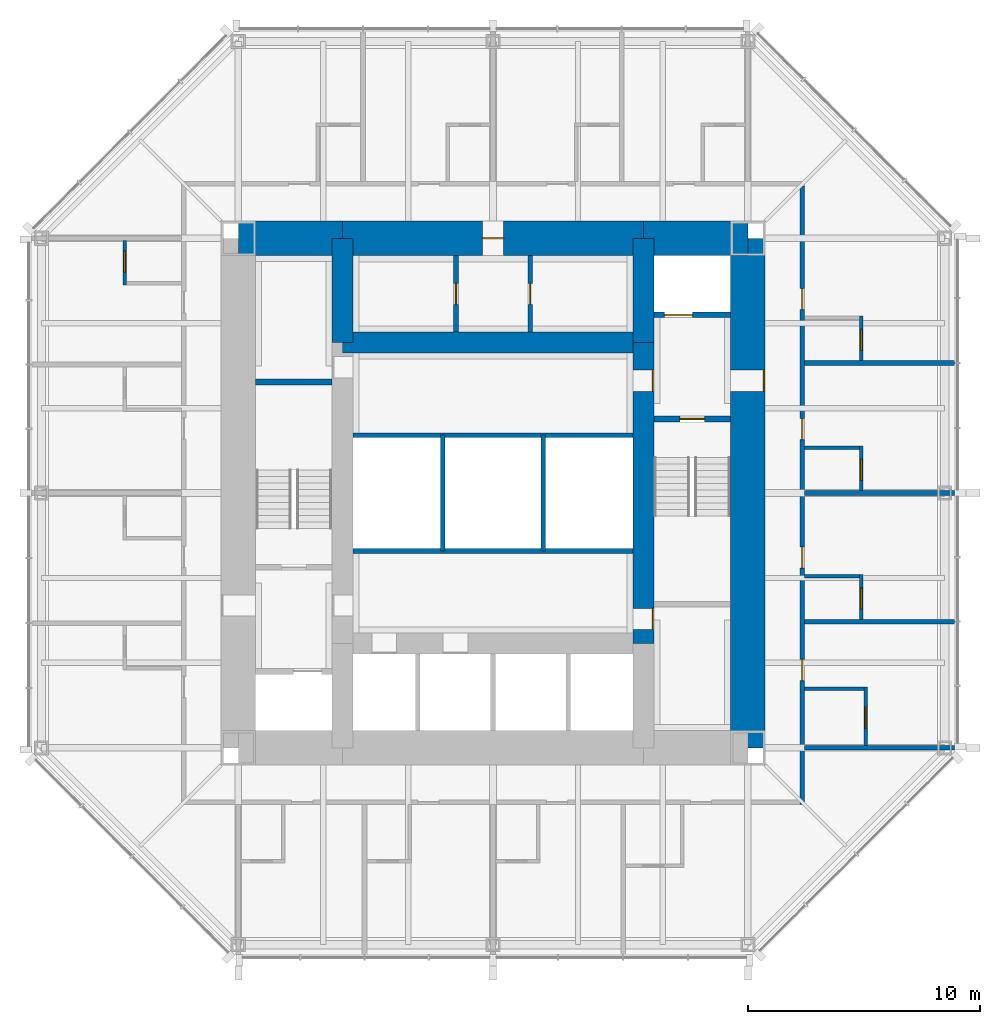
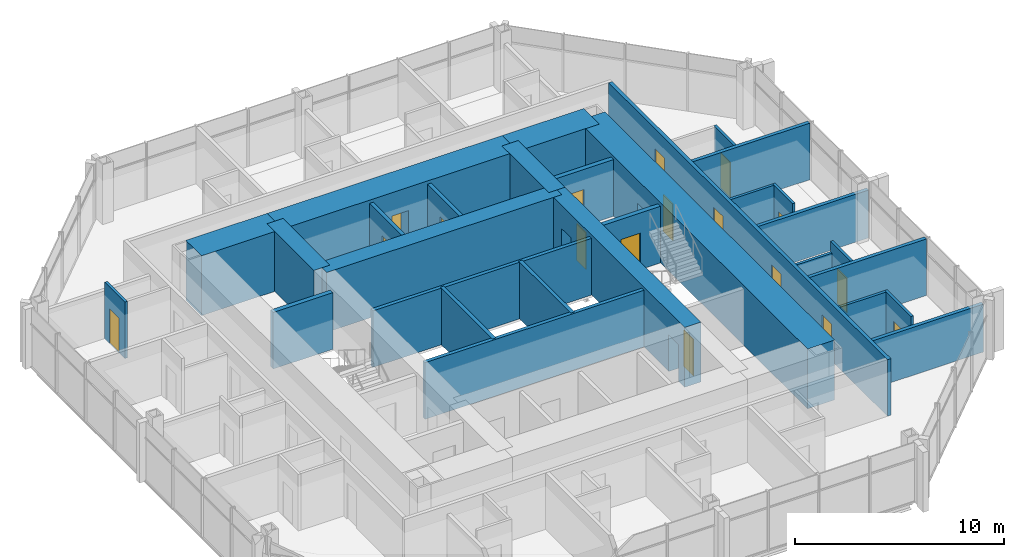
# One storey, part 9 of 12: 30 walls, 17 doors, 17 openings.
"""IFC4 building model written with IfcOpenShell, lengths in metres."""

import ifcopenshell
import ifcopenshell.guid

model = None  # the IFC model being written
_history = None  # IfcOwnerHistory: only IFC2X3 demands one
_inside = {}  # id of a spatial element -> (the spatial element, [elements in it])
_under = {}  # id of a project, library or spatial element -> (it, [spatial elements below it])
_declared = {}  # id of a project -> (the project, [libraries it declares])
_typed = {}  # id of a type object -> (the type object, [elements of that type])
_made_of = {}  # id of a material, layer set ... -> (it, [elements and type objects made of it])


def new_model(schema):
    """Start an empty IFC model of exactly this schema.

    Asked for "IFC4X3", IfcOpenShell would pick the latest addendum, in which some entities
    have other attributes; the version numbers below select the first issue.
    IFC2X3 requires an IfcOwnerHistory on every rooted entity: one is made here for all.
    """
    global model, _history
    if schema == "IFC4X3":
        model = ifcopenshell.file(schema_version=(4, 3, 0, 0))
    else:
        model = ifcopenshell.file(schema=schema)
    _inside.clear()
    _under.clear()
    _declared.clear()
    _typed.clear()
    _made_of.clear()
    _history = None
    if model.schema == "IFC2X3":
        org = make("IfcOrganization", Name="unknown")
        user = make(
            "IfcPersonAndOrganization",
            ThePerson=make("IfcPerson", FamilyName="unknown"),
            TheOrganization=org,
        )
        app = make(
            "IfcApplication",
            ApplicationDeveloper=org,
            Version="unknown",
            ApplicationFullName="unknown",
            ApplicationIdentifier="unknown",
        )
        _history = make(
            "IfcOwnerHistory",
            OwningUser=user,
            OwningApplication=app,
            ChangeAction="ADDED",
            CreationDate=0,
        )
    return model


def make(cls, **values):
    """One entity of the class cls with the attributes given. An attribute that is None is left unset."""
    return model.create_entity(
        cls, **{name: value for name, value in values.items() if value is not None}
    )


def rooted(cls, **values):
    """An entity with a GlobalId (a new one), such as an element, a storey or a relation."""
    return make(cls, GlobalId=ifcopenshell.guid.new(), OwnerHistory=_history, **values)


def si_unit(unit_type, name, prefix=None):
    """IfcSIUnit, for example si_unit("LENGTHUNIT", "METRE", prefix="MILLI")."""
    return make("IfcSIUnit", UnitType=unit_type, Prefix=prefix, Name=name)


def assignment(units):
    """IfcUnitAssignment: the units of a project."""
    return None if units is None else make("IfcUnitAssignment", Units=units)


def point(xyz):
    """IfcCartesianPoint."""
    return None if xyz is None else make("IfcCartesianPoint", Coordinates=xyz)


def direction(xyz):
    """IfcDirection."""
    return None if xyz is None else make("IfcDirection", DirectionRatios=xyz)


def frame(location, z_axis=None, x_axis=None):
    """IfcAxis2Placement3D, a coordinate frame: its origin and axes. An axis left out is left unset."""
    return make(
        "IfcAxis2Placement3D",
        Location=point(location),
        Axis=direction(z_axis),
        RefDirection=direction(x_axis),
    )


def frame_2d(location, x_axis=None):
    """IfcAxis2Placement2D, a coordinate frame in the plane: its origin and x axis."""
    return make(
        "IfcAxis2Placement2D", Location=point(location), RefDirection=direction(x_axis)
    )


def origin():
    """The frame at (0, 0, 0) with its axes left unset."""
    return frame((0.0, 0.0, 0.0))


def place(relative_to, where):
    """IfcLocalPlacement: puts the frame where relative to a parent placement (None: the world)."""
    return make(
        "IfcLocalPlacement", PlacementRelTo=relative_to, RelativePlacement=where
    )


def context(
    kind, dimensions, precision=None, world=None, true_north=None, identifier=None
):
    """IfcGeometricRepresentationContext, for example the 3D "Model" context."""
    return make(
        "IfcGeometricRepresentationContext",
        ContextIdentifier=identifier,
        ContextType=kind,
        CoordinateSpaceDimension=dimensions,
        Precision=precision,
        WorldCoordinateSystem=world,
        TrueNorth=true_north,
    )


def subcontext(parent, identifier, kind, view, scale=None):
    """IfcGeometricRepresentationSubContext, for example "Body" below "Model"."""
    return make(
        "IfcGeometricRepresentationSubContext",
        ContextIdentifier=identifier,
        ContextType=kind,
        ParentContext=parent,
        TargetScale=scale,
        TargetView=view,
    )


def project(units=None, contexts=None):
    """IfcProject with its units and contexts."""
    return rooted(
        "IfcProject",
        Name="project",
        RepresentationContexts=contexts,
        UnitsInContext=assignment(units),
    )


def spatial(cls, under=None, at=None, **own):
    """A site, building, storey or space (cls), placed at a placement, below another one or the project."""
    s = rooted(cls, ObjectPlacement=at, **own)
    if under is not None:
        _under.setdefault(under.id(), (under, []))[1].append(s)
    return s


def profile(cls, at=None, kind="AREA", **sizes):
    """A parametric profile (cls). Its sizes go by their IFC names, for example OverallWidth=200.0."""
    return make(cls, ProfileType=kind, Position=at, **sizes)


def rectangle(**sizes):
    """IfcRectangleProfileDef."""
    return profile("IfcRectangleProfileDef", **sizes)


def extrude(swept, where, along, depth):
    """IfcExtrudedAreaSolid: the profile swept, set in the frame where, extruded along a direction by depth."""
    return make(
        "IfcExtrudedAreaSolid",
        SweptArea=swept,
        Position=where,
        ExtrudedDirection=direction(along),
        Depth=depth,
    )


def shape(context_of_items, identifier, shape_type, items):
    """IfcShapeRepresentation: the items that make up one representation, for example the "Body"."""
    return make(
        "IfcShapeRepresentation",
        ContextOfItems=context_of_items,
        RepresentationIdentifier=identifier,
        RepresentationType=shape_type,
        Items=items,
    )


def material(Name=None, Category=None):
    """IfcMaterial."""
    return make("IfcMaterial", Name=Name, Category=Category)


def layer(
    of_material, thickness, ventilated=None, Name=None, Category=None, Priority=None
):
    """IfcMaterialLayer: one layer of a wall or slab, of a material (None: an air gap)."""
    return make(
        "IfcMaterialLayer",
        Material=of_material,
        LayerThickness=thickness,
        IsVentilated=ventilated,
        Name=Name,
        Category=Category,
        Priority=Priority,
    )


def layer_set(layers, Name=None):
    """IfcMaterialLayerSet."""
    return make("IfcMaterialLayerSet", MaterialLayers=layers, LayerSetName=Name)


def made_of(thing, what):
    """Note that an element or type object is made of a material, layer set ...; save() writes the relation."""
    if what is not None:
        _made_of.setdefault(what.id(), (what, []))[1].append(thing)
    return thing


def type_object(cls, material=None, **own):
    """A type object (cls), such as IfcWallType, which elements share."""
    return made_of(rooted(cls, **own), material)


def element(
    cls,
    number,
    at=None,
    inside=None,
    cuts=None,
    type_object=None,
    material=None,
    context=None,
    identifier="Body",
    shape_type=None,
    held_by="IfcProductDefinitionShape",
    body=None,
    shapes=None,
    **own,
):
    """One element of the class cls, such as IfcWall. Its Tag is "e" and its number.

    at: its placement. inside: the storey or other place that contains it. cuts: it is an
    opening in that element (IfcRelVoidsElement). A single representation is given by context,
    identifier, shape_type and body (its items); several are given by shapes. held_by: the class
    of the entity that holds the representations. save() writes the other relations.
    """
    e = rooted(cls, Tag="e%d" % number, ObjectPlacement=at, **own)
    if body is not None:
        shapes = [shape(context, identifier, shape_type, body)]
    if shapes is not None:
        e.Representation = make(held_by, Representations=shapes)
    if inside is not None:
        _inside.setdefault(inside.id(), (inside, []))[1].append(e)
    if cuts is not None:
        rooted(
            "IfcRelVoidsElement", RelatingBuildingElement=cuts, RelatedOpeningElement=e
        )
    if type_object is not None:
        _typed.setdefault(type_object.id(), (type_object, []))[1].append(e)
    return made_of(e, material)


def fill(opening, filler):
    """IfcRelFillsElement: the door or window that sits in an opening."""
    return rooted(
        "IfcRelFillsElement",
        RelatingOpeningElement=opening,
        RelatedBuildingElement=filler,
    )


def aggregate(whole, parts):
    """IfcRelAggregates: a whole, such as a stair, and the parts it consists of."""
    return rooted("IfcRelAggregates", RelatingObject=whole, RelatedObjects=parts)


def save(model, path):
    """Write the relations noted so far, then the file.

    IfcRelAggregates (storeys below a building ...), IfcRelContainedInSpatialStructure (elements
    in a storey), IfcRelDefinesByType, IfcRelAssociatesMaterial and IfcRelDeclares: one each for
    every whole, place, type object, material and project.
    """
    for whole, parts in _under.values():
        aggregate(whole, parts)
    for where, things in _inside.values():
        rooted(
            "IfcRelContainedInSpatialStructure",
            RelatedElements=things,
            RelatingStructure=where,
        )
    for kind, things in _typed.values():
        rooted("IfcRelDefinesByType", RelatedObjects=things, RelatingType=kind)
    for what, things in _made_of.values():
        rooted("IfcRelAssociatesMaterial", RelatedObjects=things, RelatingMaterial=what)
    for by, libraries in _declared.values():
        rooted("IfcRelDeclares", RelatingContext=by, RelatedDefinitions=libraries)
    model.write(path)


model = new_model("IFC4")

# Units and contexts
model_context = context("Model", 3, precision=1e-05, world=origin(), true_north=direction((0.0, 1.0)))
body_context = subcontext(model_context, "Body", "Model", "MODEL_VIEW")
ifc_project = project(units=[si_unit("LENGTHUNIT", "METRE"), si_unit("AREAUNIT", "SQUARE_METRE"), si_unit("VOLUMEUNIT", "CUBIC_METRE"), si_unit("PLANEANGLEUNIT", "RADIAN"), si_unit("MASSUNIT", "GRAM", prefix="KILO")], contexts=[model_context])

# Site, building, storey
site_placement = place(None, origin())
site = spatial("IfcSite", under=ifc_project, at=site_placement, CompositionType="ELEMENT")
building_placement = place(site_placement, origin())
building = spatial("IfcBuilding", under=site, at=building_placement, Name="Trevanion Tower", CompositionType="ELEMENT")
storey_placement = place(building_placement, frame((0.0, 0.0, 197.699951171875)))
storey = spatial("IfcBuildingStorey", under=building, at=storey_placement, Name="L46", CompositionType="ELEMENT", Elevation=197.699951171875)

# Wall, opening, door
ifc_material_1 = material(Name="Concrete 10,000 psi", Category="concrete")
ifc_layer_1 = layer(ifc_material_1, 1.5)
ifc_layer_set_1 = layer_set([ifc_layer_1], Name="CW1 core wall 1500")
wall_type_1 = type_object("IfcWallType", Name="CW1 core wall 1500", PredefinedType="SHEAR", material=ifc_layer_set_1)
wall_1_placement = place(storey_placement, frame((11.0, -11.0, 0.0), z_axis=(0.0, 0.0, 1.0), x_axis=(0.0, 1.0, 0.0)))
wall_1 = element("IfcWall", 1, at=wall_1_placement, inside=storey, type_object=wall_type_1, Name="CW1 CE L46", PredefinedType="SHEAR", context=body_context, shape_type="SweptSolid", body=[
    extrude(rectangle(XDim=22.0, YDim=1.5, at=frame_2d((11.0, 0.0))), origin(), (0.0, 0.0, 1.0), 3.5),
])
opening_1_placement = place(wall_1_placement, frame((15.392578125, 0.0, 0.0)))
opening_1 = element("IfcOpeningElement", 2, at=opening_1_placement, cuts=wall_1, Name="Opening 46-001", PredefinedType="OPENING", context=body_context, shape_type="SweptSolid", body=[
    extrude(rectangle(XDim=0.9150390625, YDim=2.134033203125, at=frame_2d((0.45751953125, 1.06689453125))), frame((0.0, 0.760009765625, 0.0), z_axis=(0.0, -1.0, 0.0), x_axis=(1.0, 0.0, 0.0)), (0.0, 0.0, 1.0), 1.52001953125),
])
ifc_material_2 = material(Name="Hollow metal, fire rated", Category="steel")
door_type_1 = type_object("IfcDoorType", Name="D3 fire lift lobby door", OperationType="SINGLE_SWING_RIGHT", PredefinedType="DOOR", material=ifc_material_2)
door_1_placement = place(opening_1_placement, origin())
door_1 = element("IfcDoor", 3, at=door_1_placement, inside=storey, type_object=door_type_1, Name="Door 46-001", OperationType="SINGLE_SWING_RIGHT", OverallHeight=2.134033203125, OverallWidth=0.9150390625, PredefinedType="DOOR", context=body_context, shape_type="SweptSolid", body=[
    extrude(rectangle(XDim=0.9150390625, YDim=2.134033203125, at=frame_2d((0.45751953125, 1.06689453125))), frame((0.0, -0.6748046875, 0.0), z_axis=(0.0, -1.0, 0.0), x_axis=(1.0, 0.0, 0.0)), (0.0, 0.0, 1.0), 0.050048828125),
])
fill(opening_1, door_1)

# Wall
wall_2_placement = place(storey_placement, frame((11.0, 11.0, 0.0), z_axis=(0.0, 0.0, 1.0), x_axis=(-1.0, 0.0, 0.0)))
element("IfcWall", 4, at=wall_2_placement, inside=storey, type_object=wall_type_1, Name="CW1 CN1 L46", PredefinedType="SHEAR", context=body_context, shape_type="SweptSolid", body=[
    extrude(rectangle(XDim=4.5, YDim=1.5, at=frame_2d((2.25, 0.0))), origin(), (0.0, 0.0, 1.0), 3.5),
])

# Wall, opening, door
wall_3_placement = place(storey_placement, frame((6.5, 11.0, 0.0), z_axis=(0.0, 0.0, 1.0), x_axis=(-1.0, 0.0, 0.0)))
wall_3 = element("IfcWall", 5, at=wall_3_placement, inside=storey, type_object=wall_type_1, Name="CW1 CN2 L46", PredefinedType="SHEAR", context=body_context, shape_type="SweptSolid", body=[
    extrude(rectangle(XDim=13.0, YDim=1.5, at=frame_2d((6.5, 0.0))), origin(), (0.0, 0.0, 1.0), 3.5),
])
opening_2_placement = place(wall_3_placement, frame((6.04248046875, 0.0, 0.0)))
opening_2 = element("IfcOpeningElement", 6, at=opening_2_placement, cuts=wall_3, Name="Opening 46-013", PredefinedType="OPENING", context=body_context, shape_type="SweptSolid", body=[
    extrude(rectangle(XDim=0.9150390625, YDim=2.134033203125, at=frame_2d((0.45751953125, 1.06689453125))), frame((0.0, 0.760009765625, 0.0), z_axis=(0.0, -1.0, 0.0), x_axis=(1.0, 0.0, 0.0)), (0.0, 0.0, 1.0), 1.52001953125),
])
ifc_material_3 = material(Name="Hollow metal, fire rated", Category="steel")
door_type_2 = type_object("IfcDoorType", Name="D5 service room door", OperationType="SINGLE_SWING_RIGHT", PredefinedType="DOOR", material=ifc_material_3)
door_2_placement = place(opening_2_placement, origin())
door_2 = element("IfcDoor", 7, at=door_2_placement, inside=storey, type_object=door_type_2, Name="Door 46-013", OperationType="SINGLE_SWING_RIGHT", OverallHeight=2.134033203125, OverallWidth=0.9150390625, PredefinedType="DOOR", context=body_context, shape_type="SweptSolid", body=[
    extrude(rectangle(XDim=0.9150390625, YDim=2.134033203125, at=frame_2d((0.45751953125, 1.06689453125))), frame((0.0, 0.02490234375, 0.0), z_axis=(0.0, -1.0, 0.0), x_axis=(1.0, 0.0, 0.0)), (0.0, 0.0, 1.0), 0.050048828125),
])
fill(opening_2, door_2)

# Wall
wall_4_placement = place(storey_placement, frame((-6.5, 11.0, 0.0), z_axis=(0.0, 0.0, 1.0), x_axis=(-1.0, 0.0, 0.0)))
element("IfcWall", 8, at=wall_4_placement, inside=storey, type_object=wall_type_1, Name="CW1 CN3 L46", PredefinedType="SHEAR", context=body_context, shape_type="SweptSolid", body=[
    extrude(rectangle(XDim=4.5, YDim=1.5, at=frame_2d((2.25, 0.0))), origin(), (0.0, 0.0, 1.0), 3.5),
])

# Wall, openings, doors
ifc_material_4 = material(Name="Concrete 10,000 psi", Category="concrete")
ifc_layer_2 = layer(ifc_material_4, 0.89990234375)
ifc_layer_set_2 = layer_set([ifc_layer_2], Name="CW2 core wall 900")
wall_type_2 = type_object("IfcWallType", Name="CW2 core wall 900", PredefinedType="SHEAR", material=ifc_layer_set_2)
wall_5_placement = place(storey_placement, frame((6.5, -6.5, 0.0), z_axis=(0.0, 0.0, 1.0), x_axis=(0.0, 1.0, 0.0)))
wall_5 = element("IfcWall", 9, at=wall_5_placement, inside=storey, type_object=wall_type_2, Name="CW2 RE2 L46", PredefinedType="SHEAR", context=body_context, shape_type="SweptSolid", body=[
    extrude(rectangle(XDim=13.0, YDim=0.89990234375, at=frame_2d((6.5, 0.0))), origin(), (0.0, 0.0, 1.0), 3.5),
])
opening_3_placement = place(wall_5_placement, frame((10.892578125, 0.0, 0.0)))
opening_3 = element("IfcOpeningElement", 10, at=opening_3_placement, cuts=wall_5, Name="Opening 46-003", PredefinedType="OPENING", context=body_context, shape_type="SweptSolid", body=[
    extrude(rectangle(XDim=0.9150390625, YDim=2.134033203125, at=frame_2d((0.45751953125, 1.06689453125))), frame((0.0, 0.4599609375, 0.0), z_axis=(0.0, -1.0, 0.0), x_axis=(1.0, 0.0, 0.0)), (0.0, 0.0, 1.0), 0.919921875),
])
opening_4_placement = place(wall_5_placement, frame((0.610107421875, 0.0, 0.0)))
opening_4 = element("IfcOpeningElement", 11, at=opening_4_placement, cuts=wall_5, Name="Opening 46-009", PredefinedType="OPENING", context=body_context, shape_type="SweptSolid", body=[
    extrude(rectangle(XDim=0.9150390625, YDim=2.134033203125, at=frame_2d((0.45751953125, 1.06689453125))), frame((0.0, 0.4599609375, 0.0), z_axis=(0.0, -1.0, 0.0), x_axis=(1.0, 0.0, 0.0)), (0.0, 0.0, 1.0), 0.919921875),
])
door_3_placement = place(opening_3_placement, origin())
door_3 = element("IfcDoor", 12, at=door_3_placement, inside=storey, type_object=door_type_1, Name="Door 46-003", OperationType="SINGLE_SWING_RIGHT", OverallHeight=2.134033203125, OverallWidth=0.9150390625, PredefinedType="DOOR", context=body_context, shape_type="SweptSolid", body=[
    extrude(rectangle(XDim=0.9150390625, YDim=2.134033203125, at=frame_2d((0.45751953125, 1.06689453125))), frame((0.0, -0.375, 0.0), z_axis=(0.0, -1.0, 0.0), x_axis=(1.0, 0.0, 0.0)), (0.0, 0.0, 1.0), 0.050048828125),
])
fill(opening_3, door_3)
door_4_placement = place(opening_4_placement, origin())
door_4 = element("IfcDoor", 13, at=door_4_placement, inside=storey, type_object=door_type_2, Name="Door 46-009", OperationType="SINGLE_SWING_RIGHT", OverallHeight=2.134033203125, OverallWidth=0.9150390625, PredefinedType="DOOR", context=body_context, shape_type="SweptSolid", body=[
    extrude(rectangle(XDim=0.9150390625, YDim=2.134033203125, at=frame_2d((0.45751953125, 1.06689453125))), frame((0.0, -0.375, 0.0), z_axis=(0.0, -1.0, 0.0), x_axis=(1.0, 0.0, 0.0)), (0.0, 0.0, 1.0), 0.050048828125),
])
fill(opening_4, door_4)

# Walls
for number, where, z_axis, x_axis, name in (
    (14, (6.5, 6.5, 0.0), (0.0, 0.0, 1.0), (0.0, 1.0, 0.0), "CW2 RE3 L46"),
    (15, (-6.5, 11.0, 0.0), (0.0, 0.0, 1.0), (0.0, -1.0, 0.0), "CW2 RW1 L46"),
):
    element("IfcWall", number, at=place(storey_placement, frame(where, z_axis=z_axis, x_axis=x_axis)), inside=storey, type_object=wall_type_2, Name=name, PredefinedType="SHEAR", context=body_context, shape_type="SweptSolid", body=[
        extrude(rectangle(XDim=4.5, YDim=0.89990234375, at=frame_2d((2.25, 0.0))), origin(), (0.0, 0.0, 1.0), 3.5),
    ])
wall_6_placement = place(storey_placement, frame((6.5, 6.5, 0.0), z_axis=(0.0, 0.0, 1.0), x_axis=(-1.0, 0.0, 0.0)))
element("IfcWall", 16, at=wall_6_placement, inside=storey, type_object=wall_type_2, Name="CW2 RN L46", PredefinedType="SHEAR", context=body_context, shape_type="SweptSolid", body=[
    extrude(rectangle(XDim=13.0, YDim=0.89990234375, at=frame_2d((6.5, 0.0))), origin(), (0.0, 0.0, 1.0), 3.5),
])

# Wall, opening, door
ifc_material_5 = material(Name="Gypsum board on steel studs", Category="steel")
ifc_layer_3 = layer(ifc_material_5, 0.14990234375)
ifc_layer_set_3 = layer_set([ifc_layer_3], Name="PT1 partition 150")
wall_type_3 = type_object("IfcWallType", Name="PT1 partition 150", PredefinedType="PARTITIONING", material=ifc_layer_set_3)
wall_7_placement = place(storey_placement, frame((16.10009765625, -10.89990234375, 0.0), z_axis=(0.0, 0.0, 1.0), x_axis=(0.0, 1.0, 0.0)))
wall_7 = element("IfcWall", 17, at=wall_7_placement, inside=storey, type_object=wall_type_3, Name="PT1 L46 BA00", PredefinedType="PARTITIONING", context=body_context, shape_type="SweptSolid", body=[
    extrude(rectangle(XDim=2.52490234375, YDim=0.14990234375, at=frame_2d((1.262451171875, 0.0))), origin(), (0.0, 0.0, 1.0), 3.31005859375),
])
opening_5_placement = place(wall_7_placement, frame((0.742431640625, 0.0, 0.0)))
opening_5 = element("IfcOpeningElement", 18, at=opening_5_placement, cuts=wall_7, Name="Opening 46-016", PredefinedType="OPENING", context=body_context, shape_type="SweptSolid", body=[
    extrude(rectangle(XDim=0.9150390625, YDim=2.031982421875, at=frame_2d((0.45751953125, 1.01611328125))), frame((0.0, 0.0849609375, 0.0), z_axis=(0.0, -1.0, 0.0), x_axis=(1.0, 0.0, 0.0)), (0.0, 0.0, 1.0), 0.169921875),
])
ifc_material_6 = material(Name="Timber veneer", Category="wood")
door_type_3 = type_object("IfcDoorType", Name="D7 bathroom door", OperationType="SINGLE_SWING_LEFT", PredefinedType="DOOR", material=ifc_material_6)
door_5_placement = place(opening_5_placement, origin())
door_5 = element("IfcDoor", 19, at=door_5_placement, inside=storey, type_object=door_type_3, Name="Door 46-016", OperationType="SINGLE_SWING_LEFT", OverallHeight=2.031982421875, OverallWidth=0.9150390625, PredefinedType="DOOR", context=body_context, shape_type="SweptSolid", body=[
    extrude(rectangle(XDim=0.9150390625, YDim=2.031982421875, at=frame_2d((0.45751953125, 1.01611328125))), frame((0.0, 0.02490234375, 0.0), z_axis=(0.0, -1.0, 0.0), x_axis=(1.0, 0.0, 0.0)), (0.0, 0.0, 1.0), 0.050048828125),
])
fill(opening_5, door_5)

# Wall
wall_8_placement = place(storey_placement, frame((13.449951171875, -8.449951171875, 0.0), z_axis=(0.0, 0.0, 1.0), x_axis=(1.0, 0.0, 0.0)))
element("IfcWall", 20, at=wall_8_placement, inside=storey, type_object=wall_type_3, Name="PT1 L46 BB00", PredefinedType="PARTITIONING", context=body_context, shape_type="SweptSolid", body=[
    extrude(rectangle(XDim=2.574951171875, YDim=0.14990234375, at=frame_2d((1.28759765625, 0.0))), origin(), (0.0, 0.0, 1.0), 3.31005859375),
])

# Wall, opening, door
wall_9_placement = place(storey_placement, frame((15.89990234375, -5.448974609375, 0.0), z_axis=(0.0, 0.0, 1.0), x_axis=(0.0, 1.0, 0.0)))
wall_9 = element("IfcWall", 21, at=wall_9_placement, inside=storey, type_object=wall_type_3, Name="PT1 L46 BA01", PredefinedType="PARTITIONING", context=body_context, shape_type="SweptSolid", body=[
    extrude(rectangle(XDim=1.925048828125, YDim=0.14990234375, at=frame_2d((0.96240234375, 0.0))), origin(), (0.0, 0.0, 1.0), 3.31005859375),
])
opening_6_placement = place(wall_9_placement, frame((0.4423828125, 0.0, 0.0)))
opening_6 = element("IfcOpeningElement", 22, at=opening_6_placement, cuts=wall_9, Name="Opening 46-018", PredefinedType="OPENING", context=body_context, shape_type="SweptSolid", body=[
    extrude(rectangle(XDim=0.9150390625, YDim=2.031982421875, at=frame_2d((0.45751953125, 1.01611328125))), frame((0.0, 0.0849609375, 0.0), z_axis=(0.0, -1.0, 0.0), x_axis=(1.0, 0.0, 0.0)), (0.0, 0.0, 1.0), 0.169921875),
])
door_6_placement = place(opening_6_placement, origin())
door_6 = element("IfcDoor", 23, at=door_6_placement, inside=storey, type_object=door_type_3, Name="Door 46-018", OperationType="SINGLE_SWING_LEFT", OverallHeight=2.031982421875, OverallWidth=0.9150390625, PredefinedType="DOOR", context=body_context, shape_type="SweptSolid", body=[
    extrude(rectangle(XDim=0.9150390625, YDim=2.031982421875, at=frame_2d((0.45751953125, 1.01611328125))), frame((0.0, 0.02490234375, 0.0), z_axis=(0.0, -1.0, 0.0), x_axis=(1.0, 0.0, 0.0)), (0.0, 0.0, 1.0), 0.050048828125),
])
fill(opening_6, door_6)

# Wall
wall_10_placement = place(storey_placement, frame((13.449951171875, -3.59912109375, 0.0), z_axis=(0.0, 0.0, 1.0), x_axis=(1.0, 0.0, 0.0)))
element("IfcWall", 24, at=wall_10_placement, inside=storey, type_object=wall_type_3, Name="PT1 L46 BB01", PredefinedType="PARTITIONING", context=body_context, shape_type="SweptSolid", body=[
    extrude(rectangle(XDim=2.375, YDim=0.14990234375, at=frame_2d((1.1875, 0.0))), origin(), (0.0, 0.0, 1.0), 2.703125),
])

# Wall, opening, door
wall_11_placement = place(storey_placement, frame((15.89990234375, 0.10009765625, 0.0), z_axis=(0.0, 0.0, 1.0), x_axis=(0.0, 1.0, 0.0)))
wall_11 = element("IfcWall", 25, at=wall_11_placement, inside=storey, type_object=wall_type_3, Name="PT1 L46 BA02", PredefinedType="PARTITIONING", context=body_context, shape_type="SweptSolid", body=[
    extrude(rectangle(XDim=1.9248046875, YDim=0.14990234375, at=frame_2d((0.96240234375, 0.0))), origin(), (0.0, 0.0, 1.0), 3.31005859375),
])
opening_7_placement = place(wall_11_placement, frame((0.4423828125, 0.0, 0.0)))
opening_7 = element("IfcOpeningElement", 26, at=opening_7_placement, cuts=wall_11, Name="Opening 46-020", PredefinedType="OPENING", context=body_context, shape_type="SweptSolid", body=[
    extrude(rectangle(XDim=0.9150390625, YDim=2.031982421875, at=frame_2d((0.45751953125, 1.01611328125))), frame((0.0, 0.0849609375, 0.0), z_axis=(0.0, -1.0, 0.0), x_axis=(1.0, 0.0, 0.0)), (0.0, 0.0, 1.0), 0.169921875),
])
door_7_placement = place(opening_7_placement, origin())
door_7 = element("IfcDoor", 27, at=door_7_placement, inside=storey, type_object=door_type_3, Name="Door 46-020", OperationType="SINGLE_SWING_LEFT", OverallHeight=2.031982421875, OverallWidth=0.9150390625, PredefinedType="DOOR", context=body_context, shape_type="SweptSolid", body=[
    extrude(rectangle(XDim=0.9150390625, YDim=2.031982421875, at=frame_2d((0.45751953125, 1.01611328125))), frame((0.0, 0.02490234375, 0.0), z_axis=(0.0, -1.0, 0.0), x_axis=(1.0, 0.0, 0.0)), (0.0, 0.0, 1.0), 0.050048828125),
])
fill(opening_7, door_7)

# Wall
wall_12_placement = place(storey_placement, frame((13.449951171875, 1.949951171875, 0.0), z_axis=(0.0, 0.0, 1.0), x_axis=(1.0, 0.0, 0.0)))
element("IfcWall", 28, at=wall_12_placement, inside=storey, type_object=wall_type_3, Name="PT1 L46 BB02", PredefinedType="PARTITIONING", context=body_context, shape_type="SweptSolid", body=[
    extrude(rectangle(XDim=2.375, YDim=0.14990234375, at=frame_2d((1.1875, 0.0))), origin(), (0.0, 0.0, 1.0), 3.31005859375),
])

# Wall, opening, door
wall_13_placement = place(storey_placement, frame((15.89990234375, 5.714111328125, 0.0), z_axis=(0.0, 0.0, 1.0), x_axis=(0.0, 1.0, 0.0)))
wall_13 = element("IfcWall", 29, at=wall_13_placement, inside=storey, type_object=wall_type_3, Name="PT1 L46 BA03", PredefinedType="PARTITIONING", context=body_context, shape_type="SweptSolid", body=[
    extrude(rectangle(XDim=1.9248046875, YDim=0.14990234375, at=frame_2d((0.96240234375, 0.0))), origin(), (0.0, 0.0, 1.0), 3.31005859375),
])
opening_8_placement = place(wall_13_placement, frame((0.4423828125, 0.0, 0.0)))
opening_8 = element("IfcOpeningElement", 30, at=opening_8_placement, cuts=wall_13, Name="Opening 46-022", PredefinedType="OPENING", context=body_context, shape_type="SweptSolid", body=[
    extrude(rectangle(XDim=0.9150390625, YDim=2.031982421875, at=frame_2d((0.45751953125, 1.01611328125))), frame((0.0, 0.0849609375, 0.0), z_axis=(0.0, -1.0, 0.0), x_axis=(1.0, 0.0, 0.0)), (0.0, 0.0, 1.0), 0.169921875),
])
door_8_placement = place(opening_8_placement, origin())
door_8 = element("IfcDoor", 31, at=door_8_placement, inside=storey, type_object=door_type_3, Name="Door 46-022", OperationType="SINGLE_SWING_LEFT", OverallHeight=2.031982421875, OverallWidth=0.9150390625, PredefinedType="DOOR", context=body_context, shape_type="SweptSolid", body=[
    extrude(rectangle(XDim=0.9150390625, YDim=2.031982421875, at=frame_2d((0.45751953125, 1.01611328125))), frame((0.0, 0.02490234375, 0.0), z_axis=(0.0, -1.0, 0.0), x_axis=(1.0, 0.0, 0.0)), (0.0, 0.0, 1.0), 0.050048828125),
])
fill(opening_8, door_8)

wall_14_placement = place(storey_placement, frame((-15.89990234375, 10.89990234375, 0.0), z_axis=(0.0, 0.0, 1.0), x_axis=(0.0, -1.0, 0.0)))
wall_14 = element("IfcWall", 32, at=wall_14_placement, inside=storey, type_object=wall_type_3, Name="PT1 L46 BA20", PredefinedType="PARTITIONING", context=body_context, shape_type="SweptSolid", body=[
    extrude(rectangle(XDim=1.9248046875, YDim=0.14990234375, at=frame_2d((0.96240234375, 0.0))), origin(), (0.0, 0.0, 1.0), 3.31005859375),
])
opening_9_placement = place(wall_14_placement, frame((0.4423828125, 0.0, 0.0)))
opening_9 = element("IfcOpeningElement", 33, at=opening_9_placement, cuts=wall_14, Name="Opening 46-032", PredefinedType="OPENING", context=body_context, shape_type="SweptSolid", body=[
    extrude(rectangle(XDim=0.9150390625, YDim=2.031982421875, at=frame_2d((0.45751953125, 1.01611328125))), frame((0.0, 0.0849609375, 0.0), z_axis=(0.0, -1.0, 0.0), x_axis=(1.0, 0.0, 0.0)), (0.0, 0.0, 1.0), 0.169921875),
])
door_9_placement = place(opening_9_placement, origin())
door_9 = element("IfcDoor", 34, at=door_9_placement, inside=storey, type_object=door_type_3, Name="Door 46-032", OperationType="SINGLE_SWING_LEFT", OverallHeight=2.031982421875, OverallWidth=0.9150390625, PredefinedType="DOOR", context=body_context, shape_type="SweptSolid", body=[
    extrude(rectangle(XDim=0.9150390625, YDim=2.031982421875, at=frame_2d((0.45751953125, 1.01611328125))), frame((0.0, 0.02490234375, 0.0), z_axis=(0.0, -1.0, 0.0), x_axis=(1.0, 0.0, 0.0)), (0.0, 0.0, 1.0), 0.050048828125),
])
fill(opening_9, door_9)

# Walls
ifc_material_7 = material(Name="Concrete masonry, grouted", Category="masonry")
ifc_layer_4 = layer(ifc_material_7, 0.199951171875)
ifc_layer_set_4 = layer_set([ifc_layer_4], Name="PT2 partition 200 1 HR")
wall_type_4 = type_object("IfcWallType", Name="PT2 partition 200 1 HR", PredefinedType="PARTITIONING", material=ifc_layer_set_4)
for number, where, z_axis, x_axis, name in (
    (35, (-6.050048828125, 2.5, 0.0), (0.0, 0.0, 1.0), (1.0, 0.0, 0.0), "PT2 L46 CP1"),
    (36, (6.050048828125, -2.5, 0.0), (0.0, 0.0, 1.0), (-1.0, 0.0, 0.0), "PT2 L46 CP2"),
):
    element("IfcWall", number, at=place(storey_placement, frame(where, z_axis=z_axis, x_axis=x_axis)), inside=storey, type_object=wall_type_4, Name=name, PredefinedType="PARTITIONING", context=body_context, shape_type="SweptSolid", body=[
        extrude(rectangle(XDim=12.10009765625, YDim=0.199951171875, at=frame_2d((6.050048828125, 0.0))), origin(), (0.0, 0.0, 1.0), 3.31005859375),
    ])

# Wall, opening, door
wall_15_placement = place(storey_placement, frame((-1.60009765625, 6.949951171875, 0.0), z_axis=(0.0, 0.0, 1.0), x_axis=(0.0, 1.0, 0.0)))
wall_15 = element("IfcWall", 37, at=wall_15_placement, inside=storey, type_object=wall_type_4, Name="PT2 L46 HKP1", PredefinedType="PARTITIONING", context=body_context, shape_type="SweptSolid", body=[
    extrude(rectangle(XDim=3.300048828125, YDim=0.199951171875, at=frame_2d((1.64990234375, 0.0))), origin(), (0.0, 0.0, 1.0), 3.31005859375),
])
opening_10_placement = place(wall_15_placement, frame((1.1923828125, 0.0, 0.0)))
opening_10 = element("IfcOpeningElement", 38, at=opening_10_placement, cuts=wall_15, Name="Opening 46-014", PredefinedType="OPENING", context=body_context, shape_type="SweptSolid", body=[
    extrude(rectangle(XDim=0.9150390625, YDim=2.134033203125, at=frame_2d((0.45751953125, 1.06689453125))), frame((0.0, 0.10986328125, 0.0), z_axis=(0.0, -1.0, 0.0), x_axis=(1.0, 0.0, 0.0)), (0.0, 0.0, 1.0), 0.219970703125),
])
door_10_placement = place(opening_10_placement, origin())
door_10 = element("IfcDoor", 39, at=door_10_placement, inside=storey, type_object=door_type_2, Name="Door 46-014", OperationType="SINGLE_SWING_RIGHT", OverallHeight=2.134033203125, OverallWidth=0.9150390625, PredefinedType="DOOR", context=body_context, shape_type="SweptSolid", body=[
    extrude(rectangle(XDim=0.9150390625, YDim=2.134033203125, at=frame_2d((0.45751953125, 1.06689453125))), frame((0.0, 0.02490234375, 0.0), z_axis=(0.0, -1.0, 0.0), x_axis=(1.0, 0.0, 0.0)), (0.0, 0.0, 1.0), 0.050048828125),
])
fill(opening_10, door_10)

wall_16_placement = place(storey_placement, frame((1.60009765625, 6.949951171875, 0.0), z_axis=(0.0, 0.0, 1.0), x_axis=(0.0, 1.0, 0.0)))
wall_16 = element("IfcWall", 40, at=wall_16_placement, inside=storey, type_object=wall_type_4, Name="PT2 L46 HKP2", PredefinedType="PARTITIONING", context=body_context, shape_type="SweptSolid", body=[
    extrude(rectangle(XDim=3.300048828125, YDim=0.199951171875, at=frame_2d((1.64990234375, 0.0))), origin(), (0.0, 0.0, 1.0), 3.31005859375),
])
opening_11_placement = place(wall_16_placement, frame((1.1923828125, 0.0, 0.0)))
opening_11 = element("IfcOpeningElement", 41, at=opening_11_placement, cuts=wall_16, Name="Opening 46-015", PredefinedType="OPENING", context=body_context, shape_type="SweptSolid", body=[
    extrude(rectangle(XDim=0.9150390625, YDim=2.134033203125, at=frame_2d((0.45751953125, 1.06689453125))), frame((0.0, 0.10986328125, 0.0), z_axis=(0.0, -1.0, 0.0), x_axis=(1.0, 0.0, 0.0)), (0.0, 0.0, 1.0), 0.219970703125),
])
door_11_placement = place(opening_11_placement, origin())
door_11 = element("IfcDoor", 42, at=door_11_placement, inside=storey, type_object=door_type_2, Name="Door 46-015", OperationType="SINGLE_SWING_RIGHT", OverallHeight=2.134033203125, OverallWidth=0.9150390625, PredefinedType="DOOR", context=body_context, shape_type="SweptSolid", body=[
    extrude(rectangle(XDim=0.9150390625, YDim=2.134033203125, at=frame_2d((0.45751953125, 1.06689453125))), frame((0.0, 0.02490234375, 0.0), z_axis=(0.0, -1.0, 0.0), x_axis=(1.0, 0.0, 0.0)), (0.0, 0.0, 1.0), 0.050048828125),
])
fill(opening_11, door_11)

# Wall, openings, doors
wall_17_placement = place(storey_placement, frame((13.35009765625, -13.449951171875, 0.0), z_axis=(0.0, 0.0, 1.0), x_axis=(0.0, 1.0, 0.0)))
wall_17 = element("IfcWall", 43, at=wall_17_placement, inside=storey, type_object=wall_type_4, Name="PT2 L46 HC0", PredefinedType="PARTITIONING", context=body_context, shape_type="SweptSolid", body=[
    extrude(rectangle(XDim=26.699951171875, YDim=0.199951171875, at=frame_2d((13.35009765625, 0.0))), origin(), (0.0, 0.0, 1.0), 3.31005859375),
])
opening_12_placement = place(wall_17_placement, frame((5.3525390625, 0.0, 0.0)))
opening_12 = element("IfcOpeningElement", 44, at=opening_12_placement, cuts=wall_17, Name="Opening 46-017", PredefinedType="OPENING", context=body_context, shape_type="SweptSolid", body=[
    extrude(rectangle(XDim=0.9150390625, YDim=2.134033203125, at=frame_2d((0.45751953125, 1.06689453125))), frame((0.0, 0.10986328125, 0.0), z_axis=(0.0, -1.0, 0.0), x_axis=(1.0, 0.0, 0.0)), (0.0, 0.0, 1.0), 0.219970703125),
])
opening_13_placement = place(wall_17_placement, frame((10.20361328125, 0.0, 0.0)))
opening_13 = element("IfcOpeningElement", 45, at=opening_13_placement, cuts=wall_17, Name="Opening 46-019", PredefinedType="OPENING", context=body_context, shape_type="SweptSolid", body=[
    extrude(rectangle(XDim=0.9150390625, YDim=2.134033203125, at=frame_2d((0.45751953125, 1.06689453125))), frame((0.0, 0.10986328125, 0.0), z_axis=(0.0, -1.0, 0.0), x_axis=(1.0, 0.0, 0.0)), (0.0, 0.0, 1.0), 0.219970703125),
])
opening_14_placement = place(wall_17_placement, frame((15.75244140625, 0.0, 0.0)))
opening_14 = element("IfcOpeningElement", 46, at=opening_14_placement, cuts=wall_17, Name="Opening 46-021", PredefinedType="OPENING", context=body_context, shape_type="SweptSolid", body=[
    extrude(rectangle(XDim=0.9150390625, YDim=2.134033203125, at=frame_2d((0.45751953125, 1.06689453125))), frame((0.0, 0.10986328125, 0.0), z_axis=(0.0, -1.0, 0.0), x_axis=(1.0, 0.0, 0.0)), (0.0, 0.0, 1.0), 0.219970703125),
])
opening_15_placement = place(wall_17_placement, frame((21.366455078125, 0.0, 0.0)))
opening_15 = element("IfcOpeningElement", 47, at=opening_15_placement, cuts=wall_17, Name="Opening 46-023", PredefinedType="OPENING", context=body_context, shape_type="SweptSolid", body=[
    extrude(rectangle(XDim=0.9150390625, YDim=2.134033203125, at=frame_2d((0.45751953125, 1.06689453125))), frame((0.0, 0.10986328125, 0.0), z_axis=(0.0, -1.0, 0.0), x_axis=(1.0, 0.0, 0.0)), (0.0, 0.0, 1.0), 0.219970703125),
])
ifc_material_8 = material(Name="Timber veneer, fire rated", Category="wood")
door_type_4 = type_object("IfcDoorType", Name="D6 guest room entrance door", OperationType="SINGLE_SWING_LEFT", PredefinedType="DOOR", material=ifc_material_8)
door_12_placement = place(opening_12_placement, origin())
door_12 = element("IfcDoor", 48, at=door_12_placement, inside=storey, type_object=door_type_4, Name="Door 46-017", OperationType="SINGLE_SWING_LEFT", OverallHeight=2.134033203125, OverallWidth=0.9150390625, PredefinedType="DOOR", context=body_context, shape_type="SweptSolid", body=[
    extrude(rectangle(XDim=0.9150390625, YDim=2.134033203125, at=frame_2d((0.45751953125, 1.06689453125))), frame((0.0, 0.02490234375, 0.0), z_axis=(0.0, -1.0, 0.0), x_axis=(1.0, 0.0, 0.0)), (0.0, 0.0, 1.0), 0.050048828125),
])
fill(opening_12, door_12)
door_13_placement = place(opening_13_placement, origin())
door_13 = element("IfcDoor", 49, at=door_13_placement, inside=storey, type_object=door_type_4, Name="Door 46-019", OperationType="SINGLE_SWING_LEFT", OverallHeight=2.134033203125, OverallWidth=0.9150390625, PredefinedType="DOOR", context=body_context, shape_type="SweptSolid", body=[
    extrude(rectangle(XDim=0.9150390625, YDim=2.134033203125, at=frame_2d((0.45751953125, 1.06689453125))), frame((0.0, 0.02490234375, 0.0), z_axis=(0.0, -1.0, 0.0), x_axis=(1.0, 0.0, 0.0)), (0.0, 0.0, 1.0), 0.050048828125),
])
fill(opening_13, door_13)
door_14_placement = place(opening_14_placement, origin())
door_14 = element("IfcDoor", 50, at=door_14_placement, inside=storey, type_object=door_type_4, Name="Door 46-021", OperationType="SINGLE_SWING_LEFT", OverallHeight=2.134033203125, OverallWidth=0.9150390625, PredefinedType="DOOR", context=body_context, shape_type="SweptSolid", body=[
    extrude(rectangle(XDim=0.9150390625, YDim=2.134033203125, at=frame_2d((0.45751953125, 1.06689453125))), frame((0.0, 0.02490234375, 0.0), z_axis=(0.0, -1.0, 0.0), x_axis=(1.0, 0.0, 0.0)), (0.0, 0.0, 1.0), 0.050048828125),
])
fill(opening_14, door_14)
door_15_placement = place(opening_15_placement, origin())
door_15 = element("IfcDoor", 51, at=door_15_placement, inside=storey, type_object=door_type_4, Name="Door 46-023", OperationType="SINGLE_SWING_LEFT", OverallHeight=2.134033203125, OverallWidth=0.9150390625, PredefinedType="DOOR", context=body_context, shape_type="SweptSolid", body=[
    extrude(rectangle(XDim=0.9150390625, YDim=2.134033203125, at=frame_2d((0.45751953125, 1.06689453125))), frame((0.0, 0.02490234375, 0.0), z_axis=(0.0, -1.0, 0.0), x_axis=(1.0, 0.0, 0.0)), (0.0, 0.0, 1.0), 0.050048828125),
])
fill(opening_15, door_15)

# Walls
wall_18_placement = place(storey_placement, frame((13.449951171875, -11.0, 0.0), z_axis=(0.0, 0.0, 1.0), x_axis=(1.0, 0.0, 0.0)))
element("IfcWall", 52, at=wall_18_placement, inside=storey, type_object=wall_type_4, Name="PT2 L46 HD00", PredefinedType="PARTITIONING", context=body_context, shape_type="SweptSolid", body=[
    extrude(rectangle(XDim=6.465087890625, YDim=0.199951171875, at=frame_2d((3.232421875, 0.0))), origin(), (0.0, 0.0, 1.0), 2.802001953125),
])
wall_19_placement = place(storey_placement, frame((13.449951171875, -5.549072265625, 0.0), z_axis=(0.0, 0.0, 1.0), x_axis=(1.0, 0.0, 0.0)))
element("IfcWall", 53, at=wall_19_placement, inside=storey, type_object=wall_type_4, Name="PT2 L46 HD01", PredefinedType="PARTITIONING", context=body_context, shape_type="SweptSolid", body=[
    extrude(rectangle(XDim=6.465087890625, YDim=0.199951171875, at=frame_2d((3.232421875, 0.0))), origin(), (0.0, 0.0, 1.0), 3.31005859375),
])
wall_20_placement = place(storey_placement, frame((13.449951171875, 0.0, 0.0), z_axis=(0.0, 0.0, 1.0), x_axis=(1.0, 0.0, 0.0)))
element("IfcWall", 54, at=wall_20_placement, inside=storey, type_object=wall_type_4, Name="PT2 L46 HD02", PredefinedType="PARTITIONING", context=body_context, shape_type="SweptSolid", body=[
    extrude(rectangle(XDim=6.465087890625, YDim=0.199951171875, at=frame_2d((3.232421875, 0.0))), origin(), (0.0, 0.0, 1.0), 2.802001953125),
])
wall_21_placement = place(storey_placement, frame((13.449951171875, 5.614013671875, 0.0), z_axis=(0.0, 0.0, 1.0), x_axis=(1.0, 0.0, 0.0)))
element("IfcWall", 55, at=wall_21_placement, inside=storey, type_object=wall_type_4, Name="PT2 L46 HD03", PredefinedType="PARTITIONING", context=body_context, shape_type="SweptSolid", body=[
    extrude(rectangle(XDim=6.465087890625, YDim=0.199951171875, at=frame_2d((3.232421875, 0.0))), origin(), (0.0, 0.0, 1.0), 3.31005859375),
])
ifc_material_9 = material(Name="Concrete masonry, grouted", Category="masonry")
ifc_layer_5 = layer(ifc_material_9, 0.199951171875)
ifc_layer_set_5 = layer_set([ifc_layer_5], Name="PT2 partition 200 2 HR")
wall_type_5 = type_object("IfcWallType", Name="PT2 partition 200 2 HR", PredefinedType="PARTITIONING", material=ifc_layer_set_5)
for number, where, z_axis, x_axis, name in (
    (56, (-2.166748046875, -2.5, 0.0), (0.0, 0.0, 1.0), (0.0, 1.0, 0.0), "PT2 L46 MS0"),
    (57, (2.166748046875, -2.5, 0.0), (0.0, 0.0, 1.0), (0.0, 1.0, 0.0), "PT2 L46 MS1"),
):
    element("IfcWall", number, at=place(storey_placement, frame(where, z_axis=z_axis, x_axis=x_axis)), inside=storey, type_object=wall_type_5, Name=name, PredefinedType="PARTITIONING", context=body_context, shape_type="SweptSolid", body=[
        extrude(rectangle(XDim=5.0, YDim=0.199951171875, at=frame_2d((2.5, 0.0))), origin(), (0.0, 0.0, 1.0), 3.31005859375),
    ])

# Wall, opening, door
ifc_material_10 = material(Name="Concrete masonry, grouted, two-hour", Category="masonry")
ifc_layer_6 = layer(ifc_material_10, 0.25)
ifc_layer_set_6 = layer_set([ifc_layer_6], Name="PT3 partition 250 2 HR")
wall_type_6 = type_object("IfcWallType", Name="PT3 partition 250 2 HR", PredefinedType="PARTITIONING", material=ifc_layer_set_6)
wall_22_placement = place(storey_placement, frame((6.949951171875, 7.699951171875, 0.0), z_axis=(0.0, 0.0, 1.0), x_axis=(1.0, 0.0, 0.0)))
wall_22 = element("IfcWall", 58, at=wall_22_placement, inside=storey, type_object=wall_type_6, Name="PT3 L46 EP3", PredefinedType="PARTITIONING", context=body_context, shape_type="SweptSolid", body=[
    extrude(rectangle(XDim=3.300048828125, YDim=0.25, at=frame_2d((1.64990234375, 0.0))), origin(), (0.0, 0.0, 1.0), 3.31005859375),
])
opening_16_placement = place(wall_22_placement, frame((0.449951171875, 0.0, 0.0)))
opening_16 = element("IfcOpeningElement", 59, at=opening_16_placement, cuts=wall_22, Name="Opening 46-007", PredefinedType="OPENING", context=body_context, shape_type="SweptSolid", body=[
    extrude(rectangle(XDim=1.218994140625, YDim=2.134033203125, at=frame_2d((0.609375, 1.06689453125))), frame((0.0, 0.135009765625, 0.0), z_axis=(0.0, -1.0, 0.0), x_axis=(1.0, 0.0, 0.0)), (0.0, 0.0, 1.0), 0.27001953125),
])
ifc_material_11 = material(Name="Stainless steel, fire rated", Category="steel")
door_type_5 = type_object("IfcDoorType", Name="LD2 fire service lift landing door", OperationType="SLIDING_TO_LEFT", PredefinedType="DOOR", material=ifc_material_11)
door_16_placement = place(opening_16_placement, origin())
door_16 = element("IfcDoor", 60, at=door_16_placement, inside=storey, type_object=door_type_5, Name="Door 46-007", OperationType="SLIDING_TO_LEFT", OverallHeight=2.134033203125, OverallWidth=1.218994140625, PredefinedType="DOOR", context=body_context, shape_type="SweptSolid", body=[
    extrude(rectangle(XDim=1.218994140625, YDim=2.134033203125, at=frame_2d((0.609375, 1.06689453125))), frame((0.0, 0.02490234375, 0.0), z_axis=(0.0, -1.0, 0.0), x_axis=(1.0, 0.0, 0.0)), (0.0, 0.0, 1.0), 0.050048828125),
])
fill(opening_16, door_16)

# Wall
ifc_material_12 = material(Name="Reinforced masonry, fully grouted", Category="masonry")
ifc_layer_7 = layer(ifc_material_12, 0.25)
ifc_layer_set_7 = layer_set([ifc_layer_7], Name="SW1 stair shaft wall 250")
wall_type_7 = type_object("IfcWallType", Name="SW1 stair shaft wall 250", PredefinedType="SOLIDWALL", material=ifc_layer_set_7)
wall_23_placement = place(storey_placement, frame((-6.949951171875, 4.800048828125, 0.0), z_axis=(0.0, 0.0, 1.0), x_axis=(-1.0, 0.0, 0.0)))
element("IfcWall", 61, at=wall_23_placement, inside=storey, type_object=wall_type_7, Name="SW1 L46 WP1", PredefinedType="SOLIDWALL", context=body_context, shape_type="SweptSolid", body=[
    extrude(rectangle(XDim=3.300048828125, YDim=0.25, at=frame_2d((1.64990234375, 0.0))), origin(), (0.0, 0.0, 1.0), 3.31005859375),
])

# Wall, opening, door
wall_24_placement = place(storey_placement, frame((6.949951171875, 3.199951171875, 0.0), z_axis=(0.0, 0.0, 1.0), x_axis=(1.0, 0.0, 0.0)))
wall_24 = element("IfcWall", 62, at=wall_24_placement, inside=storey, type_object=wall_type_7, Name="SW1 L46 EP2", PredefinedType="SOLIDWALL", context=body_context, shape_type="SweptSolid", body=[
    extrude(rectangle(XDim=3.300048828125, YDim=0.25, at=frame_2d((1.64990234375, 0.0))), origin(), (0.0, 0.0, 1.0), 3.31005859375),
])
opening_17_placement = place(wall_24_placement, frame((1.116455078125, 0.0, 0.0)))
opening_17 = element("IfcOpeningElement", 63, at=opening_17_placement, cuts=wall_24, Name="Opening 46-005", PredefinedType="OPENING", context=body_context, shape_type="SweptSolid", body=[
    extrude(rectangle(XDim=1.06689453125, YDim=2.134033203125, at=frame_2d((0.533447265625, 1.06689453125))), frame((0.0, 0.135009765625, 0.0), z_axis=(0.0, -1.0, 0.0), x_axis=(1.0, 0.0, 0.0)), (0.0, 0.0, 1.0), 0.27001953125),
])
ifc_material_13 = material(Name="Hollow metal, fire rated", Category="steel")
door_type_6 = type_object("IfcDoorType", Name="D2 exit stair door", OperationType="SINGLE_SWING_LEFT", PredefinedType="DOOR", material=ifc_material_13)
door_17_placement = place(opening_17_placement, origin())
door_17 = element("IfcDoor", 64, at=door_17_placement, inside=storey, type_object=door_type_6, Name="Door 46-005", OperationType="SINGLE_SWING_LEFT", OverallHeight=2.134033203125, OverallWidth=1.06689453125, PredefinedType="DOOR", context=body_context, shape_type="SweptSolid", body=[
    extrude(rectangle(XDim=1.06689453125, YDim=2.134033203125, at=frame_2d((0.533447265625, 1.06689453125))), frame((0.0, 0.02490234375, 0.0), z_axis=(0.0, -1.0, 0.0), x_axis=(1.0, 0.0, 0.0)), (0.0, 0.0, 1.0), 0.050048828125),
])
fill(opening_17, door_17)

save(model, "model.ifc")
